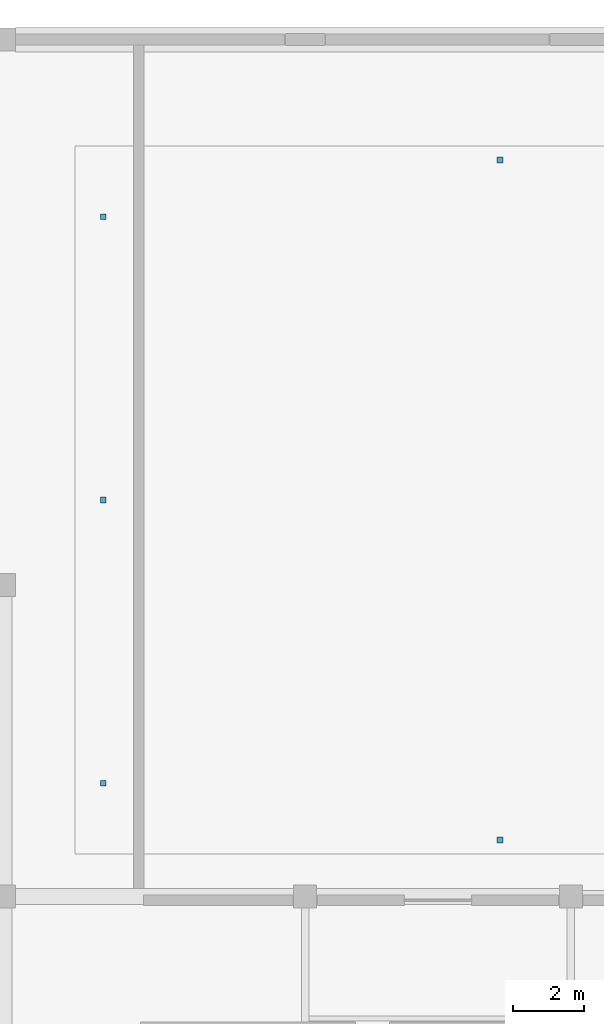
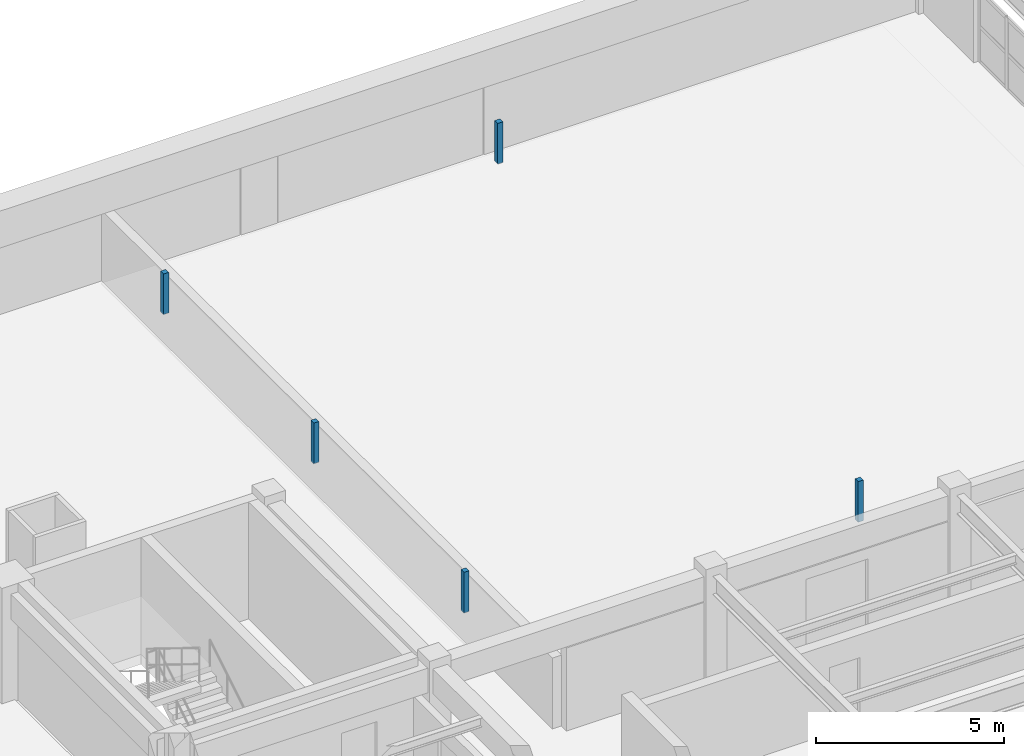
# One storey, part 64 of 74: 5 discrete accessories.
"""IFC4 building model written with IfcOpenShell, lengths in metres."""

from ifc_helpers import new_model, si_unit, direction, frame, origin, origin_2d, place, context, subcontext, project, spatial, rectangle, extrude, material, type_object, element, save


model = new_model("IFC4")

# Units and contexts
model_context = context("Model", 3, precision=1e-05, world=origin(), true_north=direction((0.0, 1.0)))
body_context = subcontext(model_context, "Body", "Model", "MODEL_VIEW")
ifc_project = project(units=[si_unit("LENGTHUNIT", "METRE"), si_unit("AREAUNIT", "SQUARE_METRE"), si_unit("VOLUMEUNIT", "CUBIC_METRE"), si_unit("PLANEANGLEUNIT", "RADIAN"), si_unit("MASSUNIT", "GRAM", prefix="KILO")], contexts=[model_context])

# Site, building, storey
site_placement = place(None, origin())
site = spatial("IfcSite", under=ifc_project, at=site_placement, CompositionType="ELEMENT")
building_placement = place(site_placement, origin())
building = spatial("IfcBuilding", under=site, at=building_placement, Name="Muzn Square Opera House", CompositionType="ELEMENT")
storey_placement = place(building_placement, frame((0.0, 0.0, 14.199951171875)))
storey = spatial("IfcBuildingStorey", under=building, at=storey_placement, Name="L03", CompositionType="ELEMENT", Elevation=14.199951171875)

# Discrete accessories
ifc_material = material(Name="Brushed stainless steel", Category="metal")
discrete_accessory_type = type_object("IfcDiscreteAccessoryType", Name="Stainless Cladding Support Bracket", PredefinedType="BRACKET", material=ifc_material)
for number, where, z_axis, x_axis, name in (
    (1, (143.800048828125, 93.0, 2.22021484375), (0.0, 0.0, 1.0), (1.0, 0.0, 0.0), "Acoustic Reflector Cloud Suspension Hanger HNG-L03-01"),
    (2, (143.800048828125, 101.0, 2.22021484375), (0.0, 0.0, 1.0), (1.0, 0.0, 0.0), "Acoustic Reflector Cloud Suspension Hanger HNG-L03-02"),
    (3, (143.800048828125, 109.0, 2.22021484375), (0.0, 0.0, 1.0), (1.0, 0.0, 0.0), "Acoustic Reflector Cloud Suspension Hanger HNG-L03-03"),
    (4, (155.0, 91.39990234375, 2.22021484375), (0.0, 0.0, 1.0), (1.0, 0.0, 0.0), "Acoustic Reflector Cloud Suspension Hanger HNG-L03-04"),
    (5, (155.0, 110.60009765625, 2.22021484375), (0.0, 0.0, 1.0), (1.0, 0.0, 0.0), "Acoustic Reflector Cloud Suspension Hanger HNG-L03-05"),
):
    element("IfcDiscreteAccessory", number, at=place(storey_placement, frame(where, z_axis=z_axis, x_axis=x_axis)), inside=storey, type_object=discrete_accessory_type, Name=name, PredefinedType="BRACKET", context=body_context, shape_type="SweptSolid", body=[
        extrude(rectangle(XDim=0.159912109375, YDim=0.159912109375, at=origin_2d()), origin(), (0.0, 0.0, 1.0), 1.320068359375),
    ])

save(model, "model.ifc")
